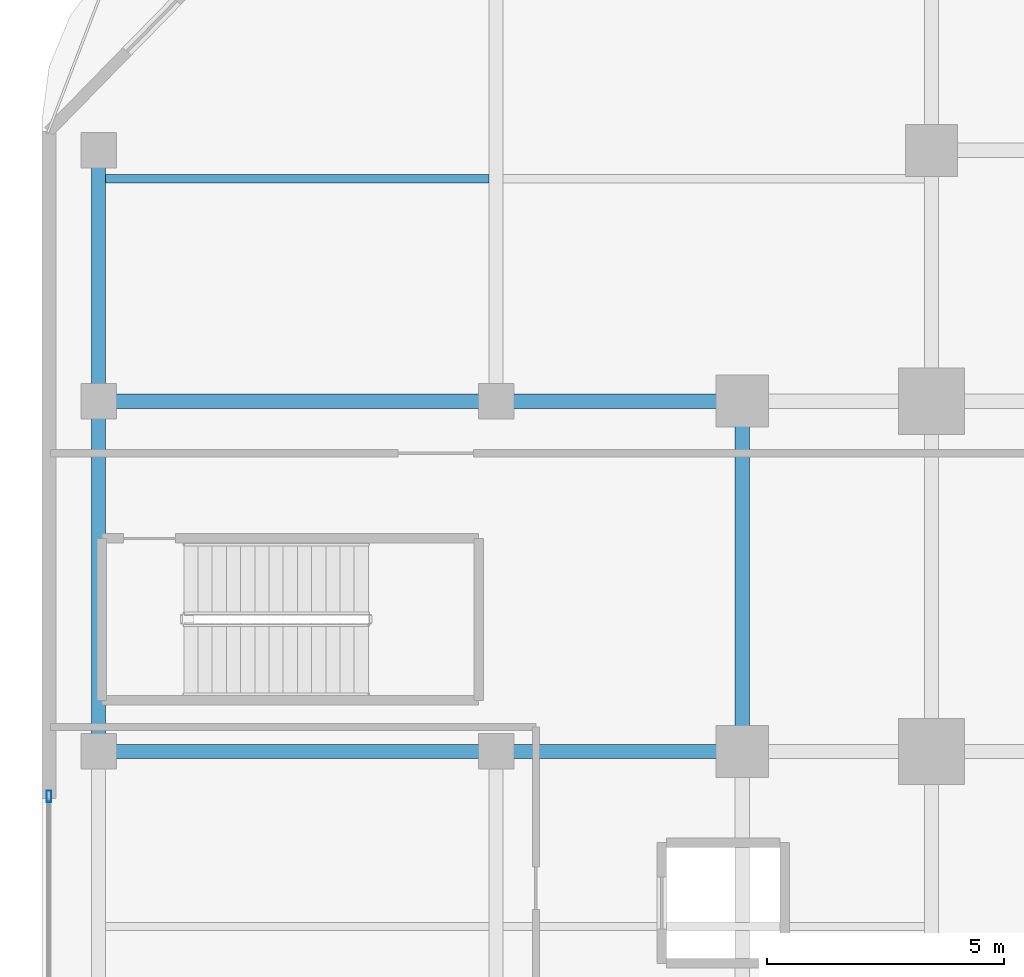
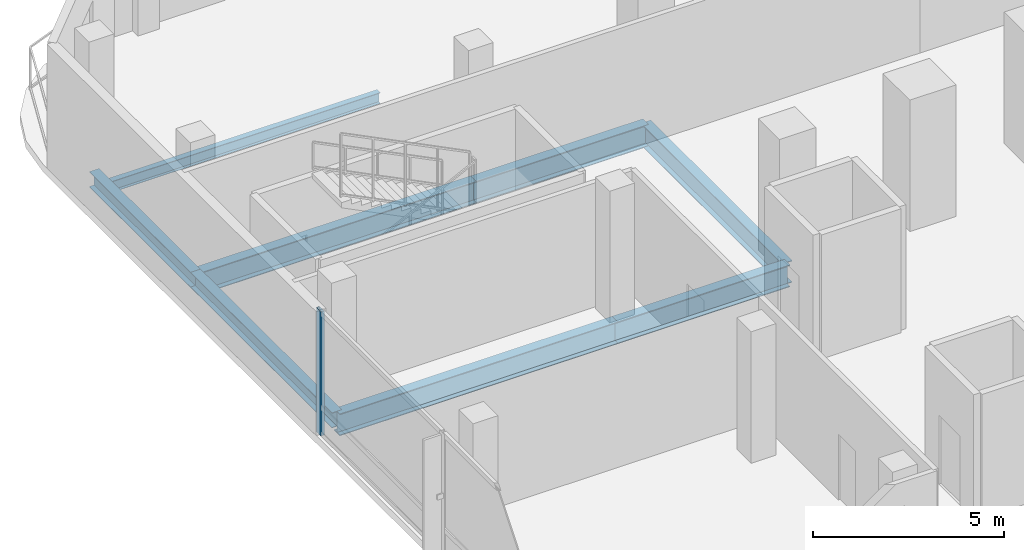
# One storey, part 4 of 19: 8 beams, 1 member, 1 element without a shape of its own.
"""IFC4 building model written with IfcOpenShell, lengths in metres."""

from ifc_helpers import new_model, si_unit, direction, frame, origin, origin_2d, place, context, subcontext, project, spatial, hollow_rectangle, i_section, extrude, material, layer, layer_set, material_profile, profile_set, type_object, element, aggregate, save


model = new_model("IFC4")

# Units and contexts
model_context = context("Model", 3, precision=1e-05, world=origin(), true_north=direction((0.0, 1.0)))
body_context = subcontext(model_context, "Body", "Model", "MODEL_VIEW")
ifc_project = project(units=[si_unit("LENGTHUNIT", "METRE"), si_unit("AREAUNIT", "SQUARE_METRE"), si_unit("VOLUMEUNIT", "CUBIC_METRE"), si_unit("PLANEANGLEUNIT", "RADIAN"), si_unit("MASSUNIT", "GRAM", prefix="KILO")], contexts=[model_context])

# Site, building, storey
site_placement = place(None, origin())
site = spatial("IfcSite", under=ifc_project, at=site_placement, CompositionType="ELEMENT")
building_placement = place(site_placement, origin())
building = spatial("IfcBuilding", under=site, at=building_placement, Name="Khorvyn Point Tower", CompositionType="ELEMENT")
storey_placement = place(building_placement, frame((0.0, 0.0, 17.39990234375)))
storey = spatial("IfcBuildingStorey", under=building, at=storey_placement, Name="L05", CompositionType="ELEMENT", Elevation=17.39990234375)

# Curtain wall, member
ifc_material_1 = material(Name="Anodised aluminium 6063-T6 and laminated Low-E glass", Category="aluminium")
ifc_layer = layer(ifc_material_1, 0.18994140625)
ifc_layer_set = layer_set([ifc_layer], Name="Stick-Built Low-E Podium Curtain Wall CW-SYS-01")
curtain_wall_type = type_object("IfcCurtainWallType", Name="Stick-Built Low-E Podium Curtain Wall CW-SYS-01", PredefinedType="NOTDEFINED", material=ifc_layer_set)
curtain_wall_placement = place(storey_placement, origin())
curtain_wall = element("IfcCurtainWall", 1, at=curtain_wall_placement, inside=storey, type_object=curtain_wall_type, Name="Curtain Wall", PredefinedType="NOTDEFINED")
ifc_material_2 = material(Name="Anodised aluminium 6063-T6", Category="aluminium")
ifc_material_profile_1 = material_profile(ifc_material_2, hollow_rectangle(XDim=0.10009765625, YDim=0.239990234375, WallThickness=0.0048828125, at=origin_2d()))
ifc_profile_set_1 = profile_set([ifc_material_profile_1], Name="Anodised aluminium 6063-T6 ALU-MUL-100x240")
member_type = type_object("IfcMemberType", Name="Anodised Aluminium 6063-T6 Mullion ALU-MUL-100x240", PredefinedType="MULLION", material=ifc_profile_set_1)
member_placement = place(storey_placement, frame((-33.449951171875, 6.449951171875, 0.0), z_axis=(0.0, 0.0, 1.0), x_axis=(-1.0, 0.0, 0.0)))
member = element("IfcMember", 2, at=member_placement, type_object=member_type, Name="Transom", PredefinedType="MULLION", context=body_context, shape_type="SweptSolid", body=[
    extrude(hollow_rectangle(XDim=0.10009765625, YDim=0.239990234375, WallThickness=0.0048828125, at=origin_2d()), origin(), (0.0, 0.0, 1.0), 3.960205078125),
])
aggregate(curtain_wall, [member])

# Beams
ifc_material_3 = material(Name="Steel S355", Category="steel")
ifc_material_profile_2 = material_profile(ifc_material_3, i_section(OverallWidth=0.300048828125, OverallDepth=0.699951171875, WebThickness=0.012939453125, FlangeThickness=0.02392578125, at=origin_2d()))
ifc_profile_set_2 = profile_set([ifc_material_profile_2], Name="Steel S355 H700x300x13x24")
beam_type_1 = type_object("IfcBeamType", Name="Steel S355 Beam H700x300x13x24", PredefinedType="BEAM", material=ifc_profile_set_2)
beam_1_placement = place(storey_placement, frame((-32.39990234375, 7.39990234375, -0.58984375), z_axis=(1.0, 0.0, 0.0), x_axis=(0.0, 1.0, 0.0)))
element("IfcBeam", 3, at=beam_1_placement, inside=storey, type_object=beam_type_1, Name="Beam", PredefinedType="BEAM", context=body_context, shape_type="SweptSolid", body=[
    extrude(i_section(OverallWidth=0.300048828125, OverallDepth=0.699951171875, WebThickness=0.012939453125, FlangeThickness=0.02392578125, at=origin_2d()), origin(), (0.0, 0.0, 1.0), 8.39990234375),
])
beam_2_placement = place(storey_placement, frame((-24.0, 7.39990234375, -0.58984375), z_axis=(1.0, 0.0, 0.0), x_axis=(0.0, 1.0, 0.0)))
element("IfcBeam", 4, at=beam_2_placement, inside=storey, type_object=beam_type_1, Name="Beam", PredefinedType="BEAM", context=body_context, shape_type="SweptSolid", body=[
    extrude(i_section(OverallWidth=0.300048828125, OverallDepth=0.699951171875, WebThickness=0.012939453125, FlangeThickness=0.02392578125, at=origin_2d()), origin(), (0.0, 0.0, 1.0), 5.199951171875),
])
beam_3_placement = place(storey_placement, frame((-32.39990234375, 14.800048828125, -0.58984375), z_axis=(1.0, 0.0, 0.0), x_axis=(0.0, 1.0, 0.0)))
element("IfcBeam", 5, at=beam_3_placement, inside=storey, type_object=beam_type_1, Name="Beam", PredefinedType="BEAM", context=body_context, shape_type="SweptSolid", body=[
    extrude(i_section(OverallWidth=0.300048828125, OverallDepth=0.699951171875, WebThickness=0.012939453125, FlangeThickness=0.02392578125, at=origin_2d()), origin(), (0.0, 0.0, 1.0), 8.39990234375),
])
beam_4_placement = place(storey_placement, frame((-24.0, 14.800048828125, -0.58984375), z_axis=(1.0, 0.0, 0.0), x_axis=(0.0, 1.0, 0.0)))
element("IfcBeam", 6, at=beam_4_placement, inside=storey, type_object=beam_type_1, Name="Beam", PredefinedType="BEAM", context=body_context, shape_type="SweptSolid", body=[
    extrude(i_section(OverallWidth=0.300048828125, OverallDepth=0.699951171875, WebThickness=0.012939453125, FlangeThickness=0.02392578125, at=origin_2d()), origin(), (0.0, 0.0, 1.0), 5.199951171875),
])
beam_5_placement = place(storey_placement, frame((-18.800048828125, 7.39990234375, -0.58984375), z_axis=(0.0, 1.0, 0.0), x_axis=(-1.0, 0.0, 0.0)))
element("IfcBeam", 7, at=beam_5_placement, inside=storey, type_object=beam_type_1, Name="Beam", PredefinedType="BEAM", context=body_context, shape_type="SweptSolid", body=[
    extrude(i_section(OverallWidth=0.300048828125, OverallDepth=0.699951171875, WebThickness=0.012939453125, FlangeThickness=0.02392578125, at=origin_2d()), origin(), (0.0, 0.0, 1.0), 7.400146484375),
])
ifc_material_profile_3 = material_profile(ifc_material_3, i_section(OverallWidth=0.175048828125, OverallDepth=0.35009765625, WebThickness=0.007080078125, FlangeThickness=0.010986328125, at=origin_2d()))
ifc_profile_set_3 = profile_set([ifc_material_profile_3], Name="Steel S355 H350x175x7x11")
beam_type_2 = type_object("IfcBeamType", Name="Steel S355 Joist H350x175x7x11", PredefinedType="JOIST", material=ifc_profile_set_3)
beam_6_placement = place(storey_placement, frame((-32.25, 19.5, -0.414794921875), z_axis=(1.0, 0.0, 0.0), x_axis=(0.0, 1.0, 0.0)))
element("IfcBeam", 8, at=beam_6_placement, inside=storey, type_object=beam_type_2, Name="Beam", PredefinedType="JOIST", context=body_context, shape_type="SweptSolid", body=[
    extrude(i_section(OverallWidth=0.175048828125, OverallDepth=0.35009765625, WebThickness=0.007080078125, FlangeThickness=0.010986328125, at=origin_2d()), origin(), (0.0, 0.0, 1.0), 8.10009765625),
])
ifc_material_profile_4 = material_profile(ifc_material_3, i_section(OverallWidth=0.300048828125, OverallDepth=0.488037109375, WebThickness=0.010986328125, FlangeThickness=0.01806640625, at=origin_2d()))
ifc_profile_set_4 = profile_set([ifc_material_profile_4], Name="Steel S355 H488x300x11x18")
beam_type_3 = type_object("IfcBeamType", Name="Steel S355 Spandrel H488x300x11x18", PredefinedType="SPANDREL", material=ifc_profile_set_4)
beam_7_placement = place(storey_placement, frame((-32.39990234375, 7.39990234375, -0.48388671875), z_axis=(0.0, 1.0, 0.0), x_axis=(-1.0, 0.0, 0.0)))
element("IfcBeam", 9, at=beam_7_placement, inside=storey, type_object=beam_type_3, Name="Beam", PredefinedType="SPANDREL", context=body_context, shape_type="SweptSolid", body=[
    extrude(i_section(OverallWidth=0.300048828125, OverallDepth=0.488037109375, WebThickness=0.010986328125, FlangeThickness=0.01806640625, at=origin_2d()), origin(), (0.0, 0.0, 1.0), 7.400146484375),
])
beam_8_placement = place(storey_placement, frame((-32.39990234375, 14.800048828125, -0.48388671875), z_axis=(0.0, 1.0, 0.0), x_axis=(-1.0, 0.0, 0.0)))
element("IfcBeam", 10, at=beam_8_placement, inside=storey, type_object=beam_type_3, Name="Beam", PredefinedType="SPANDREL", context=body_context, shape_type="SweptSolid", body=[
    extrude(i_section(OverallWidth=0.300048828125, OverallDepth=0.488037109375, WebThickness=0.010986328125, FlangeThickness=0.01806640625, at=origin_2d()), origin(), (0.0, 0.0, 1.0), 5.300048828125),
])

save(model, "model.ifc")
